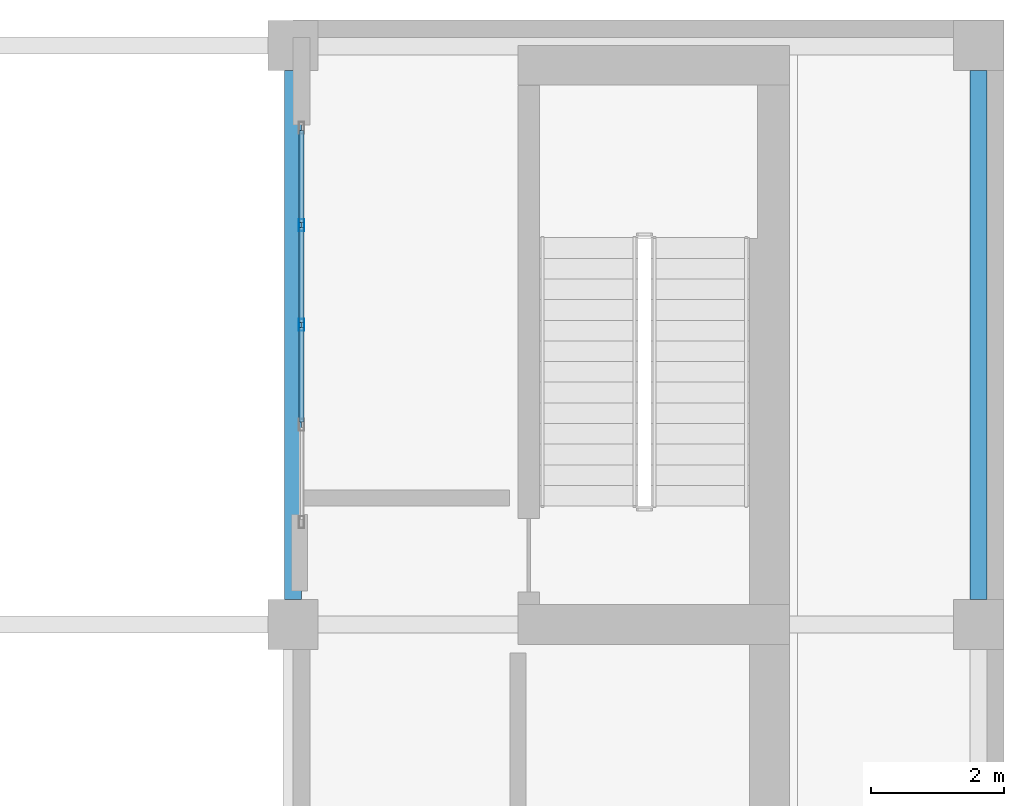
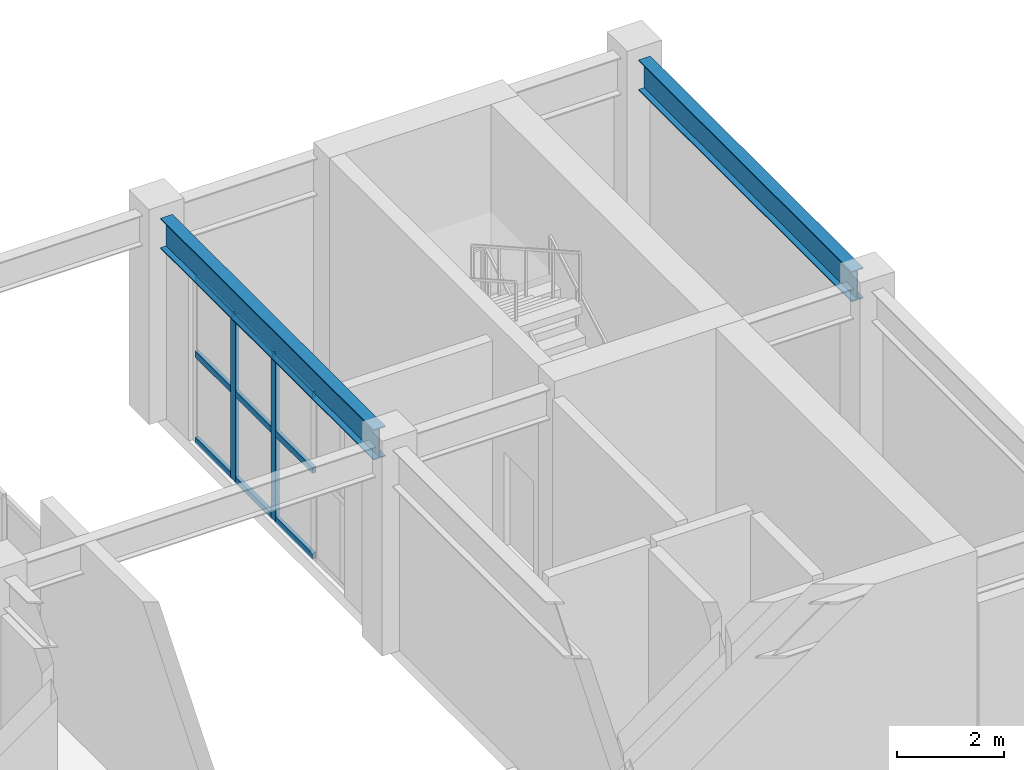
# One storey, part 6 of 11: 11 members, 2 beams, 1 element without a shape of its own.
"""IFC4 building model written with IfcOpenShell, lengths in metres."""

from ifc_helpers import new_model, si_unit, direction, frame, origin, origin_2d, place, context, subcontext, project, spatial, hollow_rectangle, i_section, extrude, material, layer, layer_set, material_profile, profile_set, type_object, element, aggregate, save


model = new_model("IFC4")

# Units and contexts
model_context = context("Model", 3, precision=1e-05, world=origin(), true_north=direction((0.0, 1.0)))
body_context = subcontext(model_context, "Body", "Model", "MODEL_VIEW")
ifc_project = project(units=[si_unit("LENGTHUNIT", "METRE"), si_unit("AREAUNIT", "SQUARE_METRE"), si_unit("VOLUMEUNIT", "CUBIC_METRE"), si_unit("PLANEANGLEUNIT", "RADIAN"), si_unit("MASSUNIT", "GRAM", prefix="KILO")], contexts=[model_context])

# Site, building, storey
site_placement = place(None, origin())
site = spatial("IfcSite", under=ifc_project, at=site_placement, CompositionType="ELEMENT")
building_placement = place(site_placement, origin())
building = spatial("IfcBuilding", under=site, at=building_placement, Name="Solanera Arch Residences", CompositionType="ELEMENT")
storey_placement = place(building_placement, frame((0.0, 0.0, 282.97998046875)))
storey = spatial("IfcBuildingStorey", under=building, at=storey_placement, Name="L81", CompositionType="ELEMENT", Elevation=282.97998046875)

# Curtain wall, members
ifc_material_1 = material(Name="Anodised Aluminium Alloy 6063-T6", Category="aluminium")
ifc_layer = layer(ifc_material_1, 0.179931640625)
ifc_layer_set = layer_set([ifc_layer], Name="Anodised Aluminium Alloy 6063-T6")
curtain_wall_type = type_object("IfcCurtainWallType", Name="CW-6 Split-Top Crown Lantern Curtain Wall", PredefinedType="USERDEFINED", material=ifc_layer_set)
curtain_wall_placement = place(storey_placement, origin())
curtain_wall = element("IfcCurtainWall", 1, at=curtain_wall_placement, inside=storey, type_object=curtain_wall_type, Name="L81 E Crown Cleft Lantern Curtain Wall", ObjectType="CURTAIN_WALL", PredefinedType="USERDEFINED")
ifc_material_2 = material(Name="Anodised Aluminium Alloy 6063-T6", Category="aluminium")
ifc_material_profile_1 = material_profile(ifc_material_2, hollow_rectangle(XDim=0.080078125, YDim=0.179931640625, WallThickness=0.00390625, at=origin_2d()))
ifc_profile_set_1 = profile_set([ifc_material_profile_1], Name="Anodised Aluminium Alloy 6063-T6")
member_type_1 = type_object("IfcMemberType", Name="Curtain Wall Mullion ALU-MUL-80X180", PredefinedType="MULLION", material=ifc_profile_set_1)
member_1_placement = place(storey_placement, frame((29.330078125, 35.199951171875, 0.0), z_axis=(0.0, 0.0, 1.0), x_axis=(-1.0, 0.0, 0.0)))
member_1 = element("IfcMember", 2, at=member_1_placement, type_object=member_type_1, Name="CW-6 mullion 3", PredefinedType="MULLION", context=body_context, shape_type="SweptSolid", body=[
    extrude(hollow_rectangle(XDim=0.080078125, YDim=0.179931640625, WallThickness=0.00390625, at=origin_2d()), origin(), (0.0, 0.0, 1.0), 3.760009765625),
])
member_2_placement = place(storey_placement, frame((29.330078125, 36.699951171875, 0.0), z_axis=(0.0, 0.0, 1.0), x_axis=(-1.0, 0.0, 0.0)))
member_2 = element("IfcMember", 3, at=member_2_placement, type_object=member_type_1, Name="CW-6 mullion 4", PredefinedType="MULLION", context=body_context, shape_type="SweptSolid", body=[
    extrude(hollow_rectangle(XDim=0.080078125, YDim=0.179931640625, WallThickness=0.00390625, at=origin_2d()), origin(), (0.0, 0.0, 1.0), 3.760009765625),
])
ifc_material_3 = material(Name="Anodised Aluminium Alloy 6063-T6", Category="aluminium")
ifc_material_profile_2 = material_profile(ifc_material_3, hollow_rectangle(XDim=0.080078125, YDim=0.139892578125, WallThickness=0.00390625, at=origin_2d()))
ifc_profile_set_2 = profile_set([ifc_material_profile_2], Name="Anodised Aluminium Alloy 6063-T6")
member_type_2 = type_object("IfcMemberType", Name="Curtain Wall Transom ALU-TRN-80X140", PredefinedType="USERDEFINED", material=ifc_profile_set_2)
member_3_placement = place(storey_placement, frame((29.330078125, 33.739990234375, 0.0400390625), z_axis=(0.0, 1.0, 0.0), x_axis=(-1.0, 0.0, 0.0)))
member_3 = element("IfcMember", 4, at=member_3_placement, type_object=member_type_2, Name="CW-6 transom 2.1", ObjectType="TRANSOM", PredefinedType="USERDEFINED", context=body_context, shape_type="SweptSolid", body=[
    extrude(hollow_rectangle(XDim=0.080078125, YDim=0.139892578125, WallThickness=0.00390625, at=origin_2d()), origin(), (0.0, 0.0, 1.0), 1.419921875),
])
member_4_placement = place(storey_placement, frame((29.330078125, 33.739990234375, 2.0), z_axis=(0.0, 1.0, 0.0), x_axis=(-1.0, 0.0, 0.0)))
member_4 = element("IfcMember", 5, at=member_4_placement, type_object=member_type_2, Name="CW-6 transom 2.2", ObjectType="TRANSOM", PredefinedType="USERDEFINED", context=body_context, shape_type="SweptSolid", body=[
    extrude(hollow_rectangle(XDim=0.080078125, YDim=0.139892578125, WallThickness=0.00390625, at=origin_2d()), origin(), (0.0, 0.0, 1.0), 1.419921875),
])
member_5_placement = place(storey_placement, frame((29.330078125, 33.739990234375, 3.719970703125), z_axis=(0.0, 1.0, 0.0), x_axis=(-1.0, 0.0, 0.0)))
member_5 = element("IfcMember", 6, at=member_5_placement, type_object=member_type_2, Name="CW-6 transom 2.3", ObjectType="TRANSOM", PredefinedType="USERDEFINED", context=body_context, shape_type="SweptSolid", body=[
    extrude(hollow_rectangle(XDim=0.080078125, YDim=0.139892578125, WallThickness=0.00390625, at=origin_2d()), origin(), (0.0, 0.0, 1.0), 1.419921875),
])
member_6_placement = place(storey_placement, frame((29.330078125, 35.239990234375, 0.0400390625), z_axis=(0.0, 1.0, 0.0), x_axis=(-1.0, 0.0, 0.0)))
member_6 = element("IfcMember", 7, at=member_6_placement, type_object=member_type_2, Name="CW-6 transom 3.1", ObjectType="TRANSOM", PredefinedType="USERDEFINED", context=body_context, shape_type="SweptSolid", body=[
    extrude(hollow_rectangle(XDim=0.080078125, YDim=0.139892578125, WallThickness=0.00390625, at=origin_2d()), origin(), (0.0, 0.0, 1.0), 1.419921875),
])
member_7_placement = place(storey_placement, frame((29.330078125, 35.239990234375, 2.0), z_axis=(0.0, 1.0, 0.0), x_axis=(-1.0, 0.0, 0.0)))
member_7 = element("IfcMember", 8, at=member_7_placement, type_object=member_type_2, Name="CW-6 transom 3.2", ObjectType="TRANSOM", PredefinedType="USERDEFINED", context=body_context, shape_type="SweptSolid", body=[
    extrude(hollow_rectangle(XDim=0.080078125, YDim=0.139892578125, WallThickness=0.00390625, at=origin_2d()), origin(), (0.0, 0.0, 1.0), 1.419921875),
])
member_8_placement = place(storey_placement, frame((29.330078125, 35.239990234375, 3.719970703125), z_axis=(0.0, 1.0, 0.0), x_axis=(-1.0, 0.0, 0.0)))
member_8 = element("IfcMember", 9, at=member_8_placement, type_object=member_type_2, Name="CW-6 transom 3.3", ObjectType="TRANSOM", PredefinedType="USERDEFINED", context=body_context, shape_type="SweptSolid", body=[
    extrude(hollow_rectangle(XDim=0.080078125, YDim=0.139892578125, WallThickness=0.00390625, at=origin_2d()), origin(), (0.0, 0.0, 1.0), 1.419921875),
])
member_9_placement = place(storey_placement, frame((29.330078125, 36.739990234375, 0.0400390625), z_axis=(0.0, 1.0, 0.0), x_axis=(-1.0, 0.0, 0.0)))
member_9 = element("IfcMember", 10, at=member_9_placement, type_object=member_type_2, Name="CW-6 transom 4.1", ObjectType="TRANSOM", PredefinedType="USERDEFINED", context=body_context, shape_type="SweptSolid", body=[
    extrude(hollow_rectangle(XDim=0.080078125, YDim=0.139892578125, WallThickness=0.00390625, at=origin_2d()), origin(), (0.0, 0.0, 1.0), 1.380126953125),
])
member_10_placement = place(storey_placement, frame((29.330078125, 36.739990234375, 2.0), z_axis=(0.0, 1.0, 0.0), x_axis=(-1.0, 0.0, 0.0)))
member_10 = element("IfcMember", 11, at=member_10_placement, type_object=member_type_2, Name="CW-6 transom 4.2", ObjectType="TRANSOM", PredefinedType="USERDEFINED", context=body_context, shape_type="SweptSolid", body=[
    extrude(hollow_rectangle(XDim=0.080078125, YDim=0.139892578125, WallThickness=0.00390625, at=origin_2d()), origin(), (0.0, 0.0, 1.0), 1.380126953125),
])
member_11_placement = place(storey_placement, frame((29.330078125, 36.739990234375, 3.719970703125), z_axis=(0.0, 1.0, 0.0), x_axis=(-1.0, 0.0, 0.0)))
member_11 = element("IfcMember", 12, at=member_11_placement, type_object=member_type_2, Name="CW-6 transom 4.3", ObjectType="TRANSOM", PredefinedType="USERDEFINED", context=body_context, shape_type="SweptSolid", body=[
    extrude(hollow_rectangle(XDim=0.080078125, YDim=0.139892578125, WallThickness=0.00390625, at=origin_2d()), origin(), (0.0, 0.0, 1.0), 1.380126953125),
])
aggregate(curtain_wall, [member_1, member_2, member_3, member_4, member_5, member_6, member_7, member_8, member_9, member_10, member_11])

# Beams
ifc_material_4 = material(Name="Steel S355 (ASTM A992 / A572 Grade 50)", Category="steel")
ifc_material_profile_3 = material_profile(ifc_material_4, i_section(OverallWidth=0.256103515625, OverallDepth=0.693115234375, WebThickness=0.014404296875, FlangeThickness=0.023681640625, at=origin_2d()))
ifc_profile_set_3 = profile_set([ifc_material_profile_3], Name="Steel S355 (ASTM A992 / A572 Grade 50)")
beam_type = type_object("IfcBeamType", Name="Primary Beam W690X170", PredefinedType="BEAM", material=ifc_profile_set_3)
for number, where, z_axis, x_axis, name in (
    (13, (29.199951171875, 31.074951171875, 4.27392578125), (0.0, 1.0, 0.0), (-1.0, 0.0, 0.0), "BM-L81-CR-E2"),
    (14, (39.5, 31.074951171875, 4.27392578125), (0.0, 1.0, 0.0), (-1.0, 0.0, 0.0), "BM-L81-CR-E4"),
):
    element("IfcBeam", number, at=place(storey_placement, frame(where, z_axis=z_axis, x_axis=x_axis)), inside=storey, type_object=beam_type, Name=name, PredefinedType="BEAM", context=body_context, shape_type="SweptSolid", body=[
        extrude(i_section(OverallWidth=0.256103515625, OverallDepth=0.693115234375, WebThickness=0.014404296875, FlangeThickness=0.023681640625, at=origin_2d()), origin(), (0.0, 0.0, 1.0), 7.949951171875),
    ])

save(model, "model.ifc")
